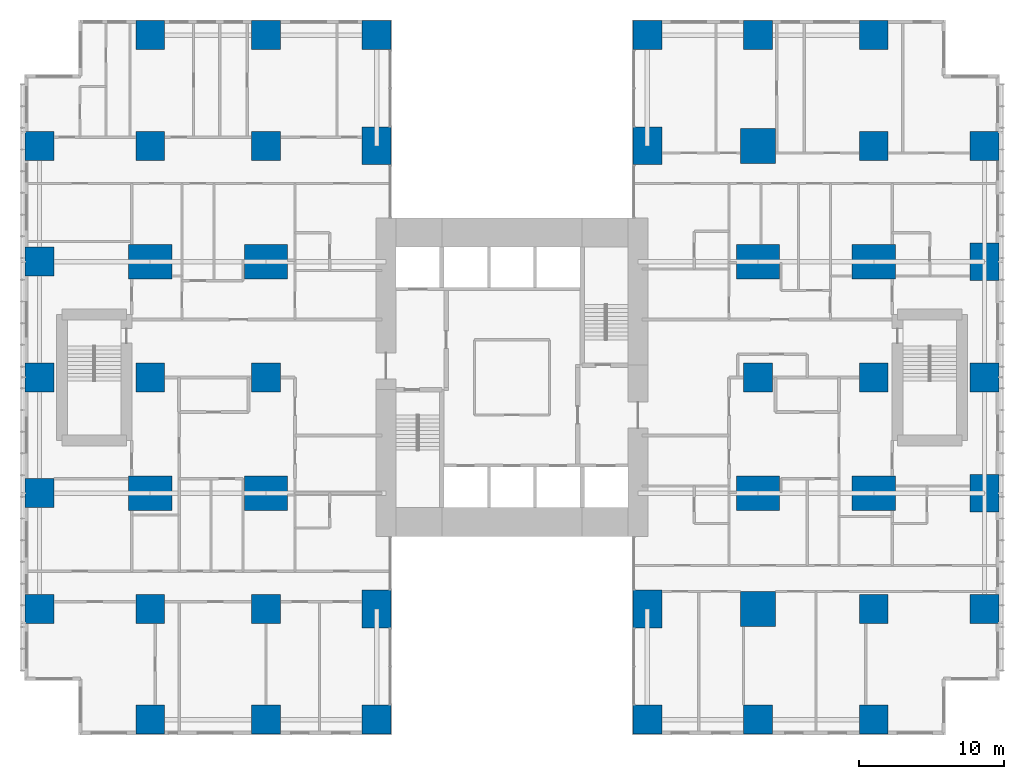
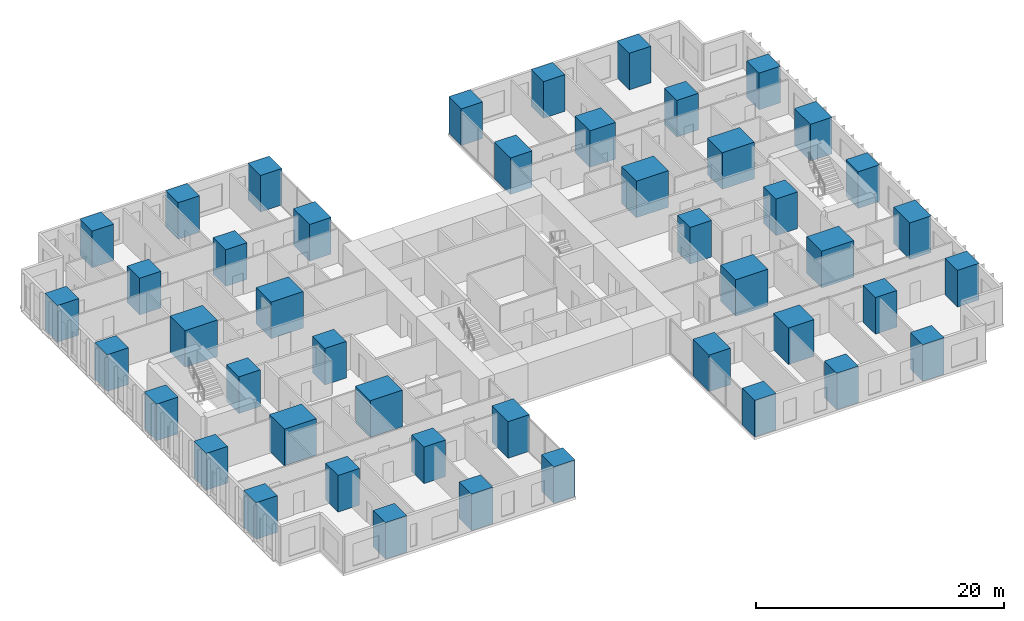
# One storey, part 1 of 20: 46 columns.
"""IFC4 building model written with IfcOpenShell, lengths in metres."""

from ifc_helpers import new_model, si_unit, direction, frame, origin, origin_2d, place, context, subcontext, project, spatial, rectangle, extrude, material, material_profile, profile_set, type_object, element, save


model = new_model("IFC4")

# Units and contexts
model_context = context("Model", 3, precision=1e-05, world=origin(), true_north=direction((0.0, 1.0)))
body_context = subcontext(model_context, "Body", "Model", "MODEL_VIEW")
ifc_project = project(units=[si_unit("LENGTHUNIT", "METRE"), si_unit("AREAUNIT", "SQUARE_METRE"), si_unit("VOLUMEUNIT", "CUBIC_METRE"), si_unit("PLANEANGLEUNIT", "RADIAN"), si_unit("MASSUNIT", "GRAM", prefix="KILO")], contexts=[model_context])

# Site, building, storey
site_placement = place(None, origin())
site = spatial("IfcSite", under=ifc_project, at=site_placement, CompositionType="ELEMENT")
building_placement = place(site_placement, origin())
building = spatial("IfcBuilding", under=site, at=building_placement, Name="Cleftline Residences", CompositionType="ELEMENT")
storey_placement = place(building_placement, frame((0.0, 0.0, 121.39990234375)))
storey = spatial("IfcBuildingStorey", under=building, at=storey_placement, Name="L31", CompositionType="ELEMENT", Elevation=121.39990234375)

# Columns
ifc_material_1 = material(Name="Concrete B70", Category="concrete")
ifc_material_profile_1 = material_profile(ifc_material_1, rectangle(XDim=2.0, YDim=2.0, at=origin_2d()))
ifc_profile_set_1 = profile_set([ifc_material_profile_1], Name="Concrete B70")
column_type_1 = type_object("IfcColumnType", Name="COLUMN RC2000X2000", PredefinedType="COLUMN", material=ifc_profile_set_1)
for number, where, z_axis, x_axis, name in (
    (1, (0.35009765625, 8.0, 0.0), (0.0, 0.0, 1.0), (1.0, 0.0, 0.0), "Column D/3"),
    (2, (0.35009765625, 16.0, 0.0), (0.0, 0.0, 1.0), (1.0, 0.0, 0.0), "Column E/3"),
    (3, (0.35009765625, 24.0, 0.0), (0.0, 0.0, 1.0), (1.0, 0.0, 0.0), "Column F/3"),
    (4, (0.35009765625, 32.0, 0.0), (0.0, 0.0, 1.0), (1.0, 0.0, 0.0), "Column G/3"),
    (5, (0.35009765625, 40.0, 0.0), (0.0, 0.0, 1.0), (1.0, 0.0, 0.0), "Column H/3"),
    (6, (8.0, 0.35009765625, 0.0), (0.0, 0.0, 1.0), (1.0, 0.0, 0.0), "Column C/4"),
    (7, (8.0, 8.0, 0.0), (0.0, 0.0, 1.0), (1.0, 0.0, 0.0), "Column D/4"),
    (8, (8.0, 24.0, 0.0), (0.0, 0.0, 1.0), (1.0, 0.0, 0.0), "Column F/4"),
    (9, (8.0, 40.0, 0.0), (0.0, 0.0, 1.0), (1.0, 0.0, 0.0), "Column H/4"),
    (10, (8.0, 47.64990234375, 0.0), (0.0, 0.0, 1.0), (1.0, 0.0, 0.0), "Column J/4"),
    (11, (16.0, 0.35009765625, 0.0), (0.0, 0.0, 1.0), (1.0, 0.0, 0.0), "Column C/5"),
    (12, (16.0, 8.0, 0.0), (0.0, 0.0, 1.0), (1.0, 0.0, 0.0), "Column D/5"),
    (13, (16.0, 24.0, 0.0), (0.0, 0.0, 1.0), (1.0, 0.0, 0.0), "Column F/5"),
    (14, (16.0, 40.0, 0.0), (0.0, 0.0, 1.0), (1.0, 0.0, 0.0), "Column H/5"),
    (15, (16.0, 47.64990234375, 0.0), (0.0, 0.0, 1.0), (1.0, 0.0, 0.0), "Column J/5"),
    (16, (23.64990234375, 0.35009765625, 0.0), (0.0, 0.0, 1.0), (1.0, 0.0, 0.0), "Column C/6"),
    (17, (23.64990234375, 47.64990234375, 0.0), (0.0, 0.0, 1.0), (1.0, 0.0, 0.0), "Column J/6"),
    (18, (42.35009765625, 0.35009765625, 0.0), (0.0, 0.0, 1.0), (1.0, 0.0, 0.0), "Column C/8"),
    (19, (42.35009765625, 47.64990234375, 0.0), (0.0, 0.0, 1.0), (1.0, 0.0, 0.0), "Column J/8"),
    (20, (50.0, 0.35009765625, 0.0), (0.0, 0.0, 1.0), (1.0, 0.0, 0.0), "Column C/9"),
    (21, (50.0, 24.0, 0.0), (0.0, 0.0, 1.0), (1.0, 0.0, 0.0), "Column F/9"),
    (22, (50.0, 47.64990234375, 0.0), (0.0, 0.0, 1.0), (1.0, 0.0, 0.0), "Column J/9"),
    (23, (58.0, 0.35009765625, 0.0), (0.0, 0.0, 1.0), (1.0, 0.0, 0.0), "Column C/10"),
    (24, (58.0, 8.0, 0.0), (0.0, 0.0, 1.0), (1.0, 0.0, 0.0), "Column D/10"),
    (25, (58.0, 24.0, 0.0), (0.0, 0.0, 1.0), (1.0, 0.0, 0.0), "Column F/10"),
    (26, (58.0, 40.0, 0.0), (0.0, 0.0, 1.0), (1.0, 0.0, 0.0), "Column H/10"),
    (27, (58.0, 47.64990234375, 0.0), (0.0, 0.0, 1.0), (1.0, 0.0, 0.0), "Column J/10"),
    (28, (65.64990234375, 8.0, 0.0), (0.0, 0.0, 1.0), (1.0, 0.0, 0.0), "Column D/11"),
    (29, (65.64990234375, 24.0, 0.0), (0.0, 0.0, 1.0), (1.0, 0.0, 0.0), "Column F/11"),
    (30, (65.64990234375, 40.0, 0.0), (0.0, 0.0, 1.0), (1.0, 0.0, 0.0), "Column H/11"),
):
    element("IfcColumn", number, at=place(storey_placement, frame(where, z_axis=z_axis, x_axis=x_axis)), inside=storey, type_object=column_type_1, Name=name, PredefinedType="COLUMN", context=body_context, shape_type="SweptSolid", body=[
        extrude(rectangle(XDim=2.0, YDim=2.0, at=origin_2d()), origin(), (0.0, 0.0, 1.0), 3.60009765625),
    ])
ifc_material_2 = material(Name="Concrete B70", Category="concrete")
ifc_material_profile_2 = material_profile(ifc_material_2, rectangle(XDim=2.0, YDim=2.60009765625, at=origin_2d()))
ifc_profile_set_2 = profile_set([ifc_material_profile_2], Name="Concrete B70")
column_type_2 = type_object("IfcColumnType", Name="COLUMN RC2000X2600", PredefinedType="COLUMN", material=ifc_profile_set_2)
for number, where, z_axis, x_axis, name in (
    (31, (23.64990234375, 8.0, 0.0), (0.0, 0.0, 1.0), (1.0, 0.0, 0.0), "Column D/6"),
    (32, (23.64990234375, 40.0, 0.0), (0.0, 0.0, 1.0), (1.0, 0.0, 0.0), "Column H/6"),
    (33, (42.35009765625, 8.0, 0.0), (0.0, 0.0, 1.0), (1.0, 0.0, 0.0), "Column D/8"),
    (34, (42.35009765625, 40.0, 0.0), (0.0, 0.0, 1.0), (1.0, 0.0, 0.0), "Column H/8"),
):
    element("IfcColumn", number, at=place(storey_placement, frame(where, z_axis=z_axis, x_axis=x_axis)), inside=storey, type_object=column_type_2, Name=name, PredefinedType="COLUMN", context=body_context, shape_type="SweptSolid", body=[
        extrude(rectangle(XDim=2.0, YDim=2.60009765625, at=origin_2d()), origin(), (0.0, 0.0, 1.0), 3.60009765625),
    ])
ifc_material_3 = material(Name="Concrete B70", Category="concrete")
ifc_material_profile_3 = material_profile(ifc_material_3, rectangle(XDim=2.39990234375, YDim=2.39990234375, at=origin_2d()))
ifc_profile_set_3 = profile_set([ifc_material_profile_3], Name="Concrete B70")
column_type_3 = type_object("IfcColumnType", Name="COLUMN RC2400X2400", PredefinedType="COLUMN", material=ifc_profile_set_3)
for number, where, z_axis, x_axis, name in (
    (35, (50.0, 8.0, 0.0), (0.0, 0.0, 1.0), (1.0, 0.0, 0.0), "Column D/9"),
    (36, (50.0, 40.0, 0.0), (0.0, 0.0, 1.0), (1.0, 0.0, 0.0), "Column H/9"),
):
    element("IfcColumn", number, at=place(storey_placement, frame(where, z_axis=z_axis, x_axis=x_axis)), inside=storey, type_object=column_type_3, Name=name, PredefinedType="COLUMN", context=body_context, shape_type="SweptSolid", body=[
        extrude(rectangle(XDim=2.39990234375, YDim=2.39990234375, at=origin_2d()), origin(), (0.0, 0.0, 1.0), 3.60009765625),
    ])
ifc_material_4 = material(Name="Concrete B70", Category="concrete")
ifc_material_profile_4 = material_profile(ifc_material_4, rectangle(XDim=2.60009765625, YDim=2.0, at=origin_2d()))
ifc_profile_set_4 = profile_set([ifc_material_profile_4], Name="Concrete B70")
column_type_4 = type_object("IfcColumnType", Name="COLUMN RC2600X2000", PredefinedType="COLUMN", material=ifc_profile_set_4)
for number, where, z_axis, x_axis, name in (
    (37, (65.64990234375, 16.0, 0.0), (0.0, 0.0, 1.0), (0.0, 1.0, 0.0), "Column E/11"),
    (38, (65.64990234375, 32.0, 0.0), (0.0, 0.0, 1.0), (0.0, 1.0, 0.0), "Column G/11"),
):
    element("IfcColumn", number, at=place(storey_placement, frame(where, z_axis=z_axis, x_axis=x_axis)), inside=storey, type_object=column_type_4, Name=name, PredefinedType="COLUMN", context=body_context, shape_type="SweptSolid", body=[
        extrude(rectangle(XDim=2.60009765625, YDim=2.0, at=origin_2d()), origin(), (0.0, 0.0, 1.0), 3.60009765625),
    ])
ifc_material_5 = material(Name="Concrete B70", Category="concrete")
ifc_material_profile_5 = material_profile(ifc_material_5, rectangle(XDim=3.0, YDim=2.39990234375, at=origin_2d()))
ifc_profile_set_5 = profile_set([ifc_material_profile_5], Name="Concrete B70")
column_type_5 = type_object("IfcColumnType", Name="COLUMN RC3000X2400", PredefinedType="COLUMN", material=ifc_profile_set_5)
for number, where, z_axis, x_axis, name in (
    (39, (8.0, 16.0, 0.0), (0.0, 0.0, 1.0), (1.0, 0.0, 0.0), "Column E/4"),
    (40, (8.0, 32.0, 0.0), (0.0, 0.0, 1.0), (1.0, 0.0, 0.0), "Column G/4"),
    (41, (16.0, 16.0, 0.0), (0.0, 0.0, 1.0), (1.0, 0.0, 0.0), "Column E/5"),
    (42, (16.0, 32.0, 0.0), (0.0, 0.0, 1.0), (1.0, 0.0, 0.0), "Column G/5"),
    (43, (50.0, 16.0, 0.0), (0.0, 0.0, 1.0), (1.0, 0.0, 0.0), "Column E/9"),
    (44, (50.0, 32.0, 0.0), (0.0, 0.0, 1.0), (1.0, 0.0, 0.0), "Column G/9"),
    (45, (58.0, 16.0, 0.0), (0.0, 0.0, 1.0), (1.0, 0.0, 0.0), "Column E/10"),
    (46, (58.0, 32.0, 0.0), (0.0, 0.0, 1.0), (1.0, 0.0, 0.0), "Column G/10"),
):
    element("IfcColumn", number, at=place(storey_placement, frame(where, z_axis=z_axis, x_axis=x_axis)), inside=storey, type_object=column_type_5, Name=name, PredefinedType="COLUMN", context=body_context, shape_type="SweptSolid", body=[
        extrude(rectangle(XDim=3.0, YDim=2.39990234375, at=origin_2d()), origin(), (0.0, 0.0, 1.0), 3.60009765625),
    ])

save(model, "model.ifc")
